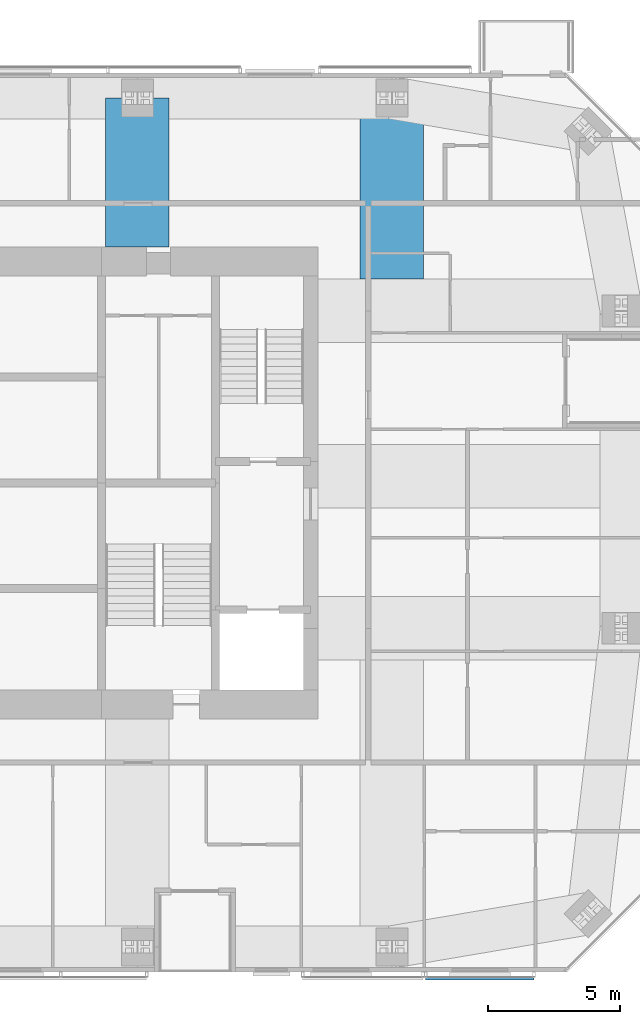
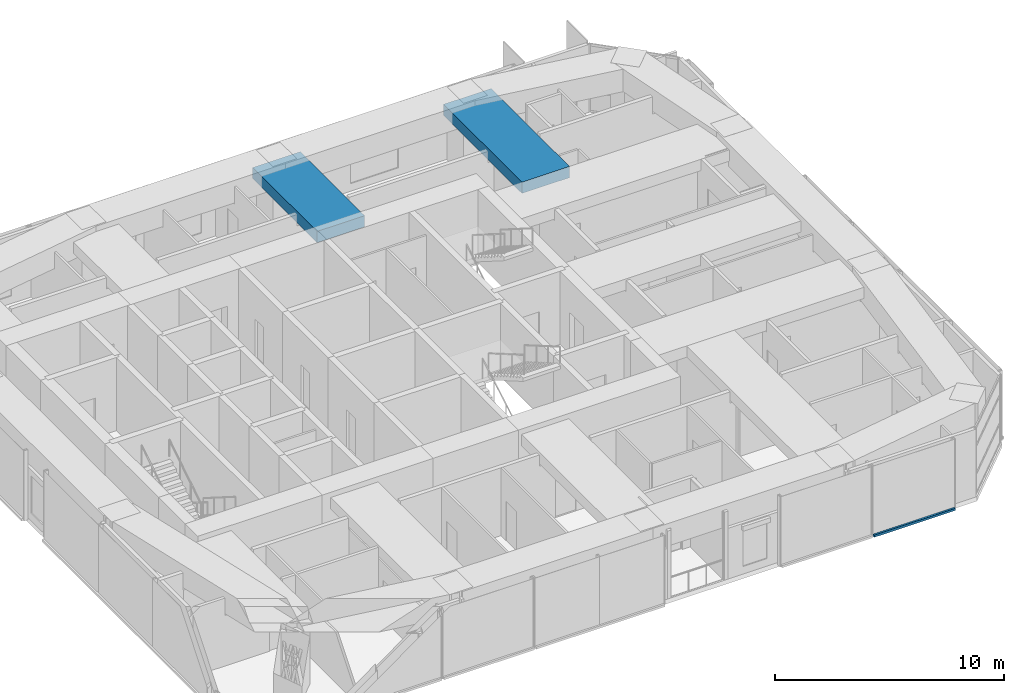
# One storey, part 7 of 20: 2 beams, 1 member, 1 element without a shape of its own.
"""IFC4 building model written with IfcOpenShell, lengths in metres."""

from ifc_helpers import new_model, si_unit, direction, frame, origin, origin_2d, place, context, subcontext, project, spatial, rectangle, extrude, material, material_profile, profile_set, type_object, element, aggregate, save


model = new_model("IFC4")

# Units and contexts
model_context = context("Model", 3, precision=1e-05, world=origin(), true_north=direction((0.0, 1.0)))
body_context = subcontext(model_context, "Body", "Model", "MODEL_VIEW")
ifc_project = project(units=[si_unit("LENGTHUNIT", "METRE"), si_unit("AREAUNIT", "SQUARE_METRE"), si_unit("VOLUMEUNIT", "CUBIC_METRE"), si_unit("PLANEANGLEUNIT", "RADIAN"), si_unit("MASSUNIT", "GRAM", prefix="KILO")], contexts=[model_context])

# Site, building, storey
site_placement = place(None, origin())
site = spatial("IfcSite", under=ifc_project, at=site_placement, CompositionType="ELEMENT")
building_placement = place(site_placement, origin())
building = spatial("IfcBuilding", under=site, at=building_placement, Name="Jalousie Tower", CompositionType="ELEMENT")
storey_placement = place(building_placement, frame((0.0, 0.0, 263.85009765625)))
storey = spatial("IfcBuildingStorey", under=building, at=storey_placement, Name="L72", CompositionType="ELEMENT", Elevation=263.85009765625)

# Beams
ifc_material_1 = material(Name="Concrete f'c 40 MPa", Category="concrete")
ifc_material_profile_1 = material_profile(ifc_material_1, rectangle(XDim=2.39990234375, YDim=0.60009765625, at=origin_2d()), Name="RC 2400x600")
ifc_profile_set_1 = profile_set([ifc_material_profile_1], Name="Concrete f'c 40 MPa")
beam_type = type_object("IfcBeamType", Name="RC BEAM 2400x600", PredefinedType="BEAM", material=ifc_profile_set_1)
beam_1_placement = place(storey_placement, frame((37.25, 33.050048828125, 3.31982421875), z_axis=(0.0, -1.0, 0.0), x_axis=(1.0, 0.0, 0.0)))
element("IfcBeam", 1, at=beam_1_placement, inside=storey, type_object=beam_type, Name="Floor band beam under L73", PredefinedType="BEAM", context=body_context, shape_type="SweptSolid", body=[
    extrude(rectangle(XDim=2.39990234375, YDim=0.60009765625, at=origin_2d()), origin(), (0.0, 0.0, 1.0), 5.625),
])
beam_2_placement = place(storey_placement, frame((46.875, 33.050048828125, 3.31982421875), z_axis=(0.0, -1.0, 0.0), x_axis=(1.0, 0.0, 0.0)))
element("IfcBeam", 2, at=beam_2_placement, inside=storey, type_object=beam_type, Name="Floor band beam under L73", PredefinedType="BEAM", context=body_context, shape_type="SweptSolid", body=[
    extrude(rectangle(XDim=2.39990234375, YDim=0.60009765625, at=origin_2d()), origin(), (0.0, 0.0, 1.0), 6.85009765625),
])

# Curtain wall, member
ifc_material_2 = material(Name="Perforated aluminium sheet", Category="aluminium")
curtain_wall_type = type_object("IfcCurtainWallType", Name="SOLAR SCREEN SS-2", PredefinedType="USERDEFINED", material=ifc_material_2)
curtain_wall_placement = place(storey_placement, origin())
curtain_wall = element("IfcCurtainWall", 3, at=curtain_wall_placement, inside=storey, type_object=curtain_wall_type, Name="Solar screen L72", ObjectType="SOLAR SCREEN SS-2", PredefinedType="USERDEFINED")
ifc_material_3 = material(Name="Extruded aluminium screen rail", Category="aluminium")
ifc_material_profile_2 = material_profile(ifc_material_3, rectangle(XDim=0.1015625, YDim=0.1201171875, at=origin_2d()), Name="RAIL 102x120")
ifc_profile_set_2 = profile_set([ifc_material_profile_2], Name="Extruded aluminium screen rail")
member_type = type_object("IfcMemberType", Name="SOLAR SCREEN SS-2 TRANSOM", PredefinedType="USERDEFINED", material=ifc_profile_set_2)
member_placement = place(storey_placement, frame((48.14990234375, -0.2490234375, -0.06005859375), z_axis=(1.0, 0.0, 0.0), x_axis=(0.0, 1.0, 0.0)))
member = element("IfcMember", 4, at=member_placement, type_object=member_type, Name="SS2 rail", ObjectType="TRANSOM", PredefinedType="USERDEFINED", context=body_context, shape_type="SweptSolid", body=[
    extrude(rectangle(XDim=0.1015625, YDim=0.1201171875, at=origin_2d()), origin(), (0.0, 0.0, 1.0), 4.10009765625),
])
aggregate(curtain_wall, [member])

save(model, "model.ifc")
